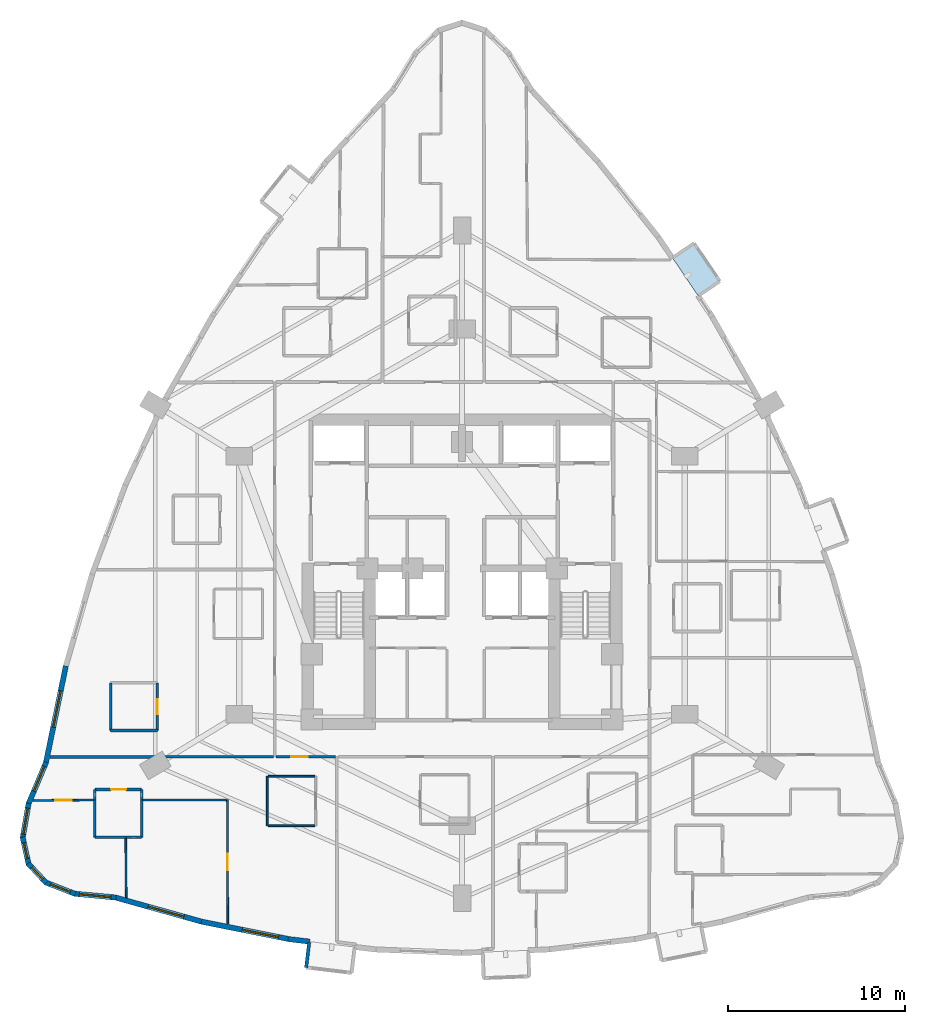
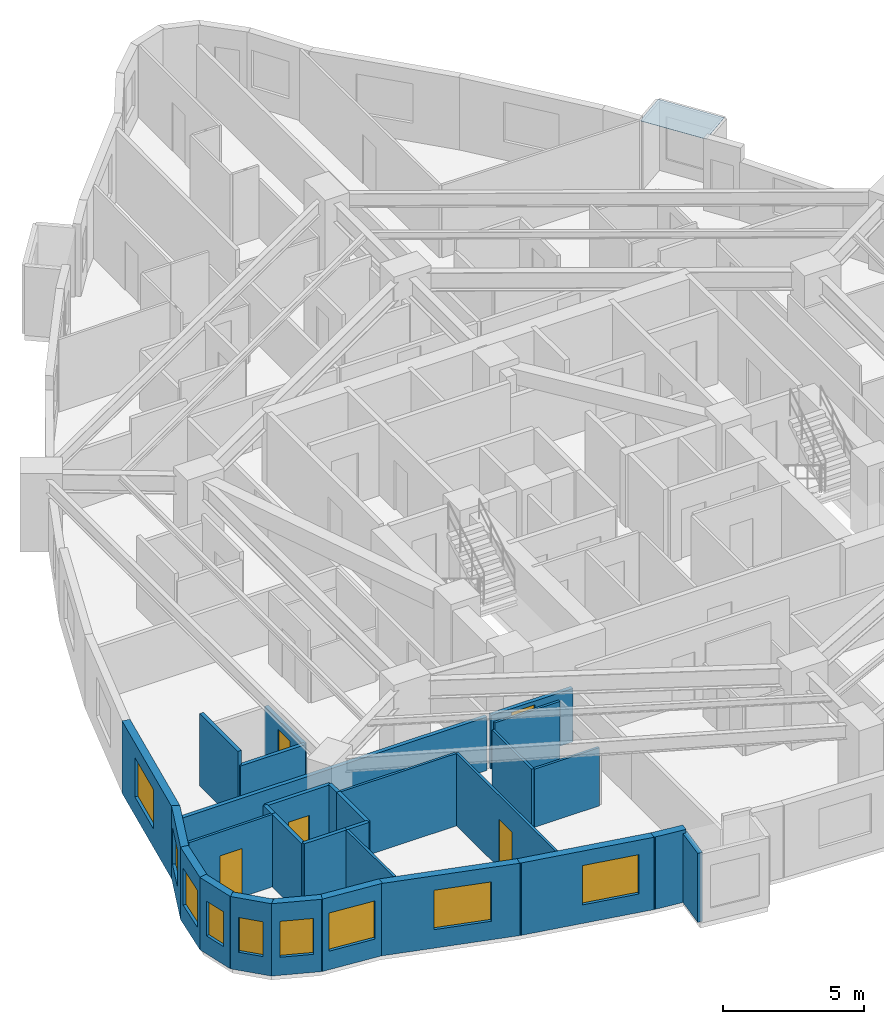
# One storey, part 8 of 16: 30 walls, 9 windows, 5 doors, 1 plate, 14 openings.
"""IFC4 building model written with IfcOpenShell, lengths in metres."""

from ifc_helpers import new_model, si_unit, direction, frame, frame_2d, origin, place, context, subcontext, project, spatial, polyline, rectangle, outline, extrude, material, layer, layer_set, type_object, element, fill, save


model = new_model("IFC4")

# Units and contexts
model_context = context("Model", 3, precision=1e-05, world=origin(), true_north=direction((0.0, 1.0)))
body_context = subcontext(model_context, "Body", "Model", "MODEL_VIEW")
ifc_project = project(units=[si_unit("LENGTHUNIT", "METRE"), si_unit("AREAUNIT", "SQUARE_METRE"), si_unit("VOLUMEUNIT", "CUBIC_METRE"), si_unit("PLANEANGLEUNIT", "RADIAN"), si_unit("MASSUNIT", "GRAM", prefix="KILO")], contexts=[model_context])

# Site, building, storey
site_placement = place(None, origin())
site = spatial("IfcSite", under=ifc_project, at=site_placement, CompositionType="ELEMENT")
building_placement = place(site_placement, origin())
building = spatial("IfcBuilding", under=site, at=building_placement, Name="Miruveldt Soraemaru", CompositionType="ELEMENT")
storey_placement = place(building_placement, frame((0.0, 0.0, 42.800048828125)))
storey = spatial("IfcBuildingStorey", under=building, at=storey_placement, Name="L11", CompositionType="ELEMENT", Elevation=42.800048828125)

# Plate
ifc_material_1 = material(Name="Standing-seam titanium-zinc sheet", Category="aluminium")
ifc_layer_1 = layer(ifc_material_1, 0.011962890625, Name="Standing-seam titanium-zinc sheet", Category="aluminium")
ifc_layer_set_1 = layer_set([ifc_layer_1], Name="Standing-seam titanium-zinc sheet")
plate_type = type_object("IfcPlateType", Name="PLT-ZINC-12", PredefinedType="SHEET", material=ifc_layer_set_1)
plate_placement = place(storey_placement, frame((0.0, 0.0, 2.974853515625)))
element("IfcPlate", 1, at=plate_placement, inside=storey, type_object=plate_type, Name="L11 Bay Window Zinc Hood Sheet 5", PredefinedType="SHEET", context=body_context, shape_type="SweptSolid", body=[
    extrude(outline(polyline([(57.359130859375, 59.466552734375), (55.901123046875, 61.619140625), (57.12646484375, 62.44921875), (58.58447265625, 60.29638671875), (57.359130859375, 59.466552734375)])), origin(), (0.0, 0.0, 1.0), 0.01220703125),
])

# Wall
ifc_material_2 = material(Name="White powder-coated aluminium EN AW-6060 T6", Category="aluminium")
ifc_layer_2 = layer(ifc_material_2, 0.18994140625, Name="White powder-coated aluminium EN AW-6060 T6", Category="aluminium")
ifc_layer_set_2 = layer_set([ifc_layer_2], Name="White powder-coated aluminium EN AW-6060 T6")
wall_type_1 = type_object("IfcWallType", Name="WALL-BAY-ALU190", PredefinedType="SOLIDWALL", material=ifc_layer_set_2)
wall_1_placement = place(storey_placement, frame((35.34716796875, 22.883544921875, 0.0), z_axis=(0.0, 0.0, 1.0), x_axis=(-0.119077659317, -0.992884943511, 0.0)))
element("IfcWall", 2, at=wall_1_placement, inside=storey, type_object=wall_type_1, Name="L11 Bay Window Side Cheek 1L", PredefinedType="SOLIDWALL", context=body_context, shape_type="SweptSolid", body=[
    extrude(rectangle(XDim=1.425048828125, YDim=0.18994140625, at=frame_2d((0.71240234375, 0.0))), origin(), (0.0, 0.0, 1.0), 2.974853515625),
])

# Wall, opening, window
ifc_material_3 = material(Name="Precast concrete C45/55 (45 MPa)", Category="concrete")
ifc_layer_3 = layer(ifc_material_3, 0.300048828125, Name="Precast concrete C45/55 (45 MPa)", Category="concrete")
ifc_layer_set_3 = layer_set([ifc_layer_3], Name="Precast concrete C45/55 (45 MPa)")
wall_type_2 = type_object("IfcWallType", Name="WALL-EXT-PC300", PredefinedType="SOLIDWALL", material=ifc_layer_set_3)
wall_2_placement = place(storey_placement, frame((21.580322265625, 38.536376953125, 0.0), z_axis=(0.0, 0.0, 1.0), x_axis=(-0.201536618175, -0.979480980691, 0.0)))
wall_2 = element("IfcWall", 3, at=wall_2_placement, inside=storey, type_object=wall_type_2, Name="L11 Precast Concrete Facade Wall 14", PredefinedType="SOLIDWALL", context=body_context, shape_type="SweptSolid", body=[
    extrude(rectangle(XDim=5.626953125, YDim=0.300048828125, at=frame_2d((2.8134765625, 0.0))), origin(), (0.0, 0.0, 1.0), 3.125),
])
opening_1_placement = place(wall_2_placement, frame((1.444091796875, 0.0, 0.800048828125)))
opening_1 = element("IfcOpeningElement", 4, at=opening_1_placement, cuts=wall_2, Name="Opening WN-1", PredefinedType="OPENING", context=body_context, shape_type="SweptSolid", body=[
    extrude(rectangle(XDim=2.10009765625, YDim=1.699951171875, at=frame_2d((1.050048828125, 0.85009765625))), frame((0.0, 0.16015625, 0.0), z_axis=(0.0, -1.0, 0.0), x_axis=(1.0, 0.0, 0.0)), (0.0, 0.0, 1.0), 0.320068359375),
])
ifc_material_4 = material(Name="Triple low-e insulated glazing", Category="glass")
window_type_1 = type_object("IfcWindowType", Name="WIN-PUNCH-2100x1700", PartitioningType="SINGLE_PANEL", PredefinedType="WINDOW", material=ifc_material_4)
window_1_placement = place(opening_1_placement, origin())
window_1 = element("IfcWindow", 5, at=window_1_placement, inside=storey, type_object=window_type_1, Name="L11 Punched Triple-Glazed Window 14.1", OverallHeight=1.699951171875, OverallWidth=2.10009765625, PartitioningType="SINGLE_PANEL", PredefinedType="WINDOW", context=body_context, shape_type="SweptSolid", body=[
    extrude(rectangle(XDim=2.10009765625, YDim=1.699951171875, at=frame_2d((1.050048828125, 0.85009765625))), frame((0.0, 0.030029296875, 0.0), z_axis=(0.0, -1.0, 0.0), x_axis=(1.0, 0.0, 0.0)), (0.0, 0.0, 1.0), 0.06005859375),
])
fill(opening_1, window_1)

wall_3_placement = place(storey_placement, frame((20.466796875, 33.091552734375, 0.0), z_axis=(0.0, 0.0, 1.0), x_axis=(-0.388619532782, -0.921398317092, 0.0)))
wall_3 = element("IfcWall", 6, at=wall_3_placement, inside=storey, type_object=wall_type_2, Name="L11 Precast Concrete Facade Wall 15", PredefinedType="SOLIDWALL", context=body_context, shape_type="SweptSolid", body=[
    extrude(rectangle(XDim=2.599609375, YDim=0.300048828125, at=frame_2d((1.2998046875, 0.0))), origin(), (0.0, 0.0, 1.0), 3.125),
])
opening_2_placement = place(wall_3_placement, frame((0.27490234375, 0.0, 0.800048828125)))
opening_2 = element("IfcOpeningElement", 7, at=opening_2_placement, cuts=wall_3, Name="Opening WN-3", PredefinedType="OPENING", context=body_context, shape_type="SweptSolid", body=[
    extrude(rectangle(XDim=1.5, YDim=1.60009765625, at=frame_2d((0.75, 0.800048828125))), frame((0.0, 0.16015625, 0.0), z_axis=(0.0, -1.0, 0.0), x_axis=(1.0, 0.0, 0.0)), (0.0, 0.0, 1.0), 0.320068359375),
])
window_type_2 = type_object("IfcWindowType", Name="WIN-PUNCH-1500x1600", PartitioningType="SINGLE_PANEL", PredefinedType="WINDOW", material=ifc_material_4)
window_2_placement = place(opening_2_placement, origin())
window_2 = element("IfcWindow", 8, at=window_2_placement, inside=storey, type_object=window_type_2, Name="L11 Punched Triple-Glazed Window 15.1", OverallHeight=1.60009765625, OverallWidth=1.5, PartitioningType="SINGLE_PANEL", PredefinedType="WINDOW", context=body_context, shape_type="SweptSolid", body=[
    extrude(rectangle(XDim=1.5, YDim=1.60009765625, at=frame_2d((0.75, 0.800048828125))), frame((0.0, 0.030029296875, 0.0), z_axis=(0.0, -1.0, 0.0), x_axis=(1.0, 0.0, 0.0)), (0.0, 0.0, 1.0), 0.06005859375),
])
fill(opening_2, window_2)

wall_4_placement = place(storey_placement, frame((19.47607421875, 30.762939453125, 0.0), z_axis=(0.0, 0.0, 1.0), x_axis=(-0.169274776515, -0.985568896646, 0.0)))
wall_4 = element("IfcWall", 9, at=wall_4_placement, inside=storey, type_object=wall_type_2, Name="L11 Precast Concrete Facade Wall 16", PredefinedType="SOLIDWALL", context=body_context, shape_type="SweptSolid", body=[
    extrude(rectangle(XDim=2.0048828125, YDim=0.300048828125, at=frame_2d((1.00244140625, 0.0))), origin(), (0.0, 0.0, 1.0), 3.125),
])
opening_3_placement = place(wall_4_placement, frame((0.27490234375, 0.0, 0.800048828125)))
opening_3 = element("IfcOpeningElement", 10, at=opening_3_placement, cuts=wall_4, Name="Opening WN-3", PredefinedType="OPENING", context=body_context, shape_type="SweptSolid", body=[
    extrude(rectangle(XDim=1.5, YDim=1.60009765625, at=frame_2d((0.75, 0.800048828125))), frame((0.0, 0.16015625, 0.0), z_axis=(0.0, -1.0, 0.0), x_axis=(1.0, 0.0, 0.0)), (0.0, 0.0, 1.0), 0.320068359375),
])
window_3_placement = place(opening_3_placement, origin())
window_3 = element("IfcWindow", 11, at=window_3_placement, inside=storey, type_object=window_type_2, Name="L11 Punched Triple-Glazed Window 16.1", OverallHeight=1.60009765625, OverallWidth=1.5, PartitioningType="SINGLE_PANEL", PredefinedType="WINDOW", context=body_context, shape_type="SweptSolid", body=[
    extrude(rectangle(XDim=1.5, YDim=1.60009765625, at=frame_2d((0.75, 0.800048828125))), frame((0.0, 0.030029296875, 0.0), z_axis=(0.0, -1.0, 0.0), x_axis=(1.0, 0.0, 0.0)), (0.0, 0.0, 1.0), 0.06005859375),
])
fill(opening_3, window_3)

wall_5_placement = place(storey_placement, frame((19.135009765625, 28.855712890625, 0.0), z_axis=(0.0, 0.0, 1.0), x_axis=(0.215694028495, -0.976461000794, 0.0)))
wall_5 = element("IfcWall", 12, at=wall_5_placement, inside=storey, type_object=wall_type_2, Name="L11 Precast Concrete Facade Wall 17", PredefinedType="SOLIDWALL", context=body_context, shape_type="SweptSolid", body=[
    extrude(rectangle(XDim=1.589111328125, YDim=0.300048828125, at=frame_2d((0.79443359375, 0.0))), origin(), (0.0, 0.0, 1.0), 3.125),
])
opening_4_placement = place(wall_5_placement, frame((0.343994140625, 0.0, 0.780029296875)))
opening_4 = element("IfcOpeningElement", 13, at=opening_4_placement, cuts=wall_5, Name="Opening WN-7", PredefinedType="OPENING", context=body_context, shape_type="SweptSolid", body=[
    extrude(rectangle(XDim=0.89990234375, YDim=1.5, at=frame_2d((0.449951171875, 0.75))), frame((0.0, 0.16015625, 0.0), z_axis=(0.0, -1.0, 0.0), x_axis=(1.0, 0.0, 0.0)), (0.0, 0.0, 1.0), 0.320068359375),
])
window_type_3 = type_object("IfcWindowType", Name="WIN-PUNCH-900x1500", PartitioningType="SINGLE_PANEL", PredefinedType="WINDOW", material=ifc_material_4)
window_4_placement = place(opening_4_placement, origin())
window_4 = element("IfcWindow", 14, at=window_4_placement, inside=storey, type_object=window_type_3, Name="L11 Punched Triple-Glazed Window 17.1", OverallHeight=1.5, OverallWidth=0.89990234375, PartitioningType="SINGLE_PANEL", PredefinedType="WINDOW", context=body_context, shape_type="SweptSolid", body=[
    extrude(rectangle(XDim=0.89990234375, YDim=1.5, at=frame_2d((0.449951171875, 0.75))), frame((0.0, 0.030029296875, 0.0), z_axis=(0.0, -1.0, 0.0), x_axis=(1.0, 0.0, 0.0)), (0.0, 0.0, 1.0), 0.06005859375),
])
fill(opening_4, window_4)

wall_6_placement = place(storey_placement, frame((19.4462890625, 27.364013671875, 0.0), z_axis=(0.0, 0.0, 1.0), x_axis=(0.680191520786, -0.733034443291, 0.0)))
wall_6 = element("IfcWall", 15, at=wall_6_placement, inside=storey, type_object=wall_type_2, Name="L11 Precast Concrete Facade Wall 18", PredefinedType="SOLIDWALL", context=body_context, shape_type="SweptSolid", body=[
    extrude(rectangle(XDim=1.515380859375, YDim=0.300048828125, at=frame_2d((0.7578125, 0.0))), origin(), (0.0, 0.0, 1.0), 3.125),
])
opening_5_placement = place(wall_6_placement, frame((0.306884765625, 0.0, 0.780029296875)))
opening_5 = element("IfcOpeningElement", 16, at=opening_5_placement, cuts=wall_6, Name="Opening WN-7", PredefinedType="OPENING", context=body_context, shape_type="SweptSolid", body=[
    extrude(rectangle(XDim=0.89990234375, YDim=1.5, at=frame_2d((0.449951171875, 0.75))), frame((0.0, 0.16015625, 0.0), z_axis=(0.0, -1.0, 0.0), x_axis=(1.0, 0.0, 0.0)), (0.0, 0.0, 1.0), 0.320068359375),
])
window_5_placement = place(opening_5_placement, origin())
window_5 = element("IfcWindow", 17, at=window_5_placement, inside=storey, type_object=window_type_3, Name="L11 Punched Triple-Glazed Window 18.1", OverallHeight=1.5, OverallWidth=0.89990234375, PartitioningType="SINGLE_PANEL", PredefinedType="WINDOW", context=body_context, shape_type="SweptSolid", body=[
    extrude(rectangle(XDim=0.89990234375, YDim=1.5, at=frame_2d((0.449951171875, 0.75))), frame((0.0, 0.030029296875, 0.0), z_axis=(0.0, -1.0, 0.0), x_axis=(1.0, 0.0, 0.0)), (0.0, 0.0, 1.0), 0.06005859375),
])
fill(opening_5, window_5)

wall_7_placement = place(storey_placement, frame((20.420654296875, 26.29150390625, 0.0), z_axis=(0.0, 0.0, 1.0), x_axis=(0.932260177706, -0.361788558502, 0.0)))
wall_7 = element("IfcWall", 18, at=wall_7_placement, inside=storey, type_object=wall_type_2, Name="L11 Precast Concrete Facade Wall 19", PredefinedType="SOLIDWALL", context=body_context, shape_type="SweptSolid", body=[
    extrude(rectangle(XDim=1.827392578125, YDim=0.300048828125, at=frame_2d((0.91357421875, 0.0))), origin(), (0.0, 0.0, 1.0), 3.125),
])
opening_6_placement = place(wall_7_placement, frame((0.31396484375, 0.0, 0.780029296875)))
opening_6 = element("IfcOpeningElement", 19, at=opening_6_placement, cuts=wall_7, Name="Opening WN-4", PredefinedType="OPENING", context=body_context, shape_type="SweptSolid", body=[
    extrude(rectangle(XDim=1.199951171875, YDim=1.550048828125, at=frame_2d((0.60009765625, 0.77490234375))), frame((0.0, 0.16015625, 0.0), z_axis=(0.0, -1.0, 0.0), x_axis=(1.0, 0.0, 0.0)), (0.0, 0.0, 1.0), 0.320068359375),
])
window_type_4 = type_object("IfcWindowType", Name="WIN-PUNCH-1200x1550", PartitioningType="SINGLE_PANEL", PredefinedType="WINDOW", material=ifc_material_4)
window_6_placement = place(opening_6_placement, origin())
window_6 = element("IfcWindow", 20, at=window_6_placement, inside=storey, type_object=window_type_4, Name="L11 Punched Triple-Glazed Window 19.1", OverallHeight=1.550048828125, OverallWidth=1.199951171875, PartitioningType="SINGLE_PANEL", PredefinedType="WINDOW", context=body_context, shape_type="SweptSolid", body=[
    extrude(rectangle(XDim=1.199951171875, YDim=1.550048828125, at=frame_2d((0.60009765625, 0.77490234375))), frame((0.0, 0.030029296875, 0.0), z_axis=(0.0, -1.0, 0.0), x_axis=(1.0, 0.0, 0.0)), (0.0, 0.0, 1.0), 0.06005859375),
])
fill(opening_6, window_6)

wall_8_placement = place(storey_placement, frame((22.056884765625, 25.646240234375, 0.0), z_axis=(0.0, 0.0, 1.0), x_axis=(0.99576320225, -0.091954581429, 0.0)))
wall_8 = element("IfcWall", 21, at=wall_8_placement, inside=storey, type_object=wall_type_2, Name="L11 Precast Concrete Facade Wall 20", PredefinedType="SOLIDWALL", context=body_context, shape_type="SweptSolid", body=[
    extrude(rectangle(XDim=2.37353515625, YDim=0.300048828125, at=frame_2d((1.186767578125, 0.0))), origin(), (0.0, 0.0, 1.0), 3.125),
])
opening_7_placement = place(wall_8_placement, frame((0.287109375, 0.0, 0.800048828125)))
opening_7 = element("IfcOpeningElement", 22, at=opening_7_placement, cuts=wall_8, Name="Opening WN-2", PredefinedType="OPENING", context=body_context, shape_type="SweptSolid", body=[
    extrude(rectangle(XDim=1.800048828125, YDim=1.64990234375, at=frame_2d((0.89990234375, 0.824951171875))), frame((0.0, 0.16015625, 0.0), z_axis=(0.0, -1.0, 0.0), x_axis=(1.0, 0.0, 0.0)), (0.0, 0.0, 1.0), 0.320068359375),
])
window_type_5 = type_object("IfcWindowType", Name="WIN-PUNCH-1800x1650", PartitioningType="SINGLE_PANEL", PredefinedType="WINDOW", material=ifc_material_4)
window_7_placement = place(opening_7_placement, origin())
window_7 = element("IfcWindow", 23, at=window_7_placement, inside=storey, type_object=window_type_5, Name="L11 Punched Triple-Glazed Window 20.1", OverallHeight=1.64990234375, OverallWidth=1.800048828125, PartitioningType="SINGLE_PANEL", PredefinedType="WINDOW", context=body_context, shape_type="SweptSolid", body=[
    extrude(rectangle(XDim=1.800048828125, YDim=1.64990234375, at=frame_2d((0.89990234375, 0.824951171875))), frame((0.0, 0.030029296875, 0.0), z_axis=(0.0, -1.0, 0.0), x_axis=(1.0, 0.0, 0.0)), (0.0, 0.0, 1.0), 0.06005859375),
])
fill(opening_7, window_7)

wall_9_placement = place(storey_placement, frame((24.351806640625, 25.440673828125, 0.0), z_axis=(0.0, 0.0, 1.0), x_axis=(0.962965002088, -0.269626417018, 0.0)))
wall_9 = element("IfcWall", 24, at=wall_9_placement, inside=storey, type_object=wall_type_2, Name="L11 Precast Concrete Facade Wall 21", PredefinedType="SOLIDWALL", context=body_context, shape_type="SweptSolid", body=[
    extrude(rectangle(XDim=5.162109375, YDim=0.300048828125, at=frame_2d((2.5810546875, 0.0))), origin(), (0.0, 0.0, 1.0), 3.125),
])
opening_8_placement = place(wall_9_placement, frame((1.962890625, 0.0, 0.800048828125)))
opening_8 = element("IfcOpeningElement", 25, at=opening_8_placement, cuts=wall_9, Name="Opening WN-1", PredefinedType="OPENING", context=body_context, shape_type="SweptSolid", body=[
    extrude(rectangle(XDim=2.10009765625, YDim=1.699951171875, at=frame_2d((1.050048828125, 0.85009765625))), frame((0.0, 0.16015625, 0.0), z_axis=(0.0, -1.0, 0.0), x_axis=(1.0, 0.0, 0.0)), (0.0, 0.0, 1.0), 0.320068359375),
])
window_8_placement = place(opening_8_placement, origin())
window_8 = element("IfcWindow", 26, at=window_8_placement, inside=storey, type_object=window_type_1, Name="L11 Punched Triple-Glazed Window 21.1", OverallHeight=1.699951171875, OverallWidth=2.10009765625, PartitioningType="SINGLE_PANEL", PredefinedType="WINDOW", context=body_context, shape_type="SweptSolid", body=[
    extrude(rectangle(XDim=2.10009765625, YDim=1.699951171875, at=frame_2d((1.050048828125, 0.85009765625))), frame((0.0, 0.030029296875, 0.0), z_axis=(0.0, -1.0, 0.0), x_axis=(1.0, 0.0, 0.0)), (0.0, 0.0, 1.0), 0.06005859375),
])
fill(opening_8, window_8)

wall_10_placement = place(storey_placement, frame((29.2548828125, 24.065185546875, 0.0), z_axis=(0.0, 0.0, 1.0), x_axis=(0.980573267674, -0.196153171585, 0.0)))
wall_10 = element("IfcWall", 27, at=wall_10_placement, inside=storey, type_object=wall_type_2, Name="L11 Precast Concrete Facade Wall 22", PredefinedType="SOLIDWALL", context=body_context, shape_type="SweptSolid", body=[
    extrude(rectangle(XDim=5.070556640625, YDim=0.300048828125, at=frame_2d((2.53515625, 0.0))), origin(), (0.0, 0.0, 1.0), 3.125),
])
opening_9_placement = place(wall_10_placement, frame((2.345947265625, 0.0, 0.800048828125)))
opening_9 = element("IfcOpeningElement", 28, at=opening_9_placement, cuts=wall_10, Name="Opening WN-1", PredefinedType="OPENING", context=body_context, shape_type="SweptSolid", body=[
    extrude(rectangle(XDim=2.10009765625, YDim=1.699951171875, at=frame_2d((1.050048828125, 0.85009765625))), frame((0.0, 0.16015625, 0.0), z_axis=(0.0, -1.0, 0.0), x_axis=(1.0, 0.0, 0.0)), (0.0, 0.0, 1.0), 0.320068359375),
])
window_9_placement = place(opening_9_placement, origin())
window_9 = element("IfcWindow", 29, at=window_9_placement, inside=storey, type_object=window_type_1, Name="L11 Punched Triple-Glazed Window 22.1", OverallHeight=1.699951171875, OverallWidth=2.10009765625, PartitioningType="SINGLE_PANEL", PredefinedType="WINDOW", context=body_context, shape_type="SweptSolid", body=[
    extrude(rectangle(XDim=2.10009765625, YDim=1.699951171875, at=frame_2d((1.050048828125, 0.85009765625))), frame((0.0, 0.030029296875, 0.0), z_axis=(0.0, -1.0, 0.0), x_axis=(1.0, 0.0, 0.0)), (0.0, 0.0, 1.0), 0.06005859375),
])
fill(opening_9, window_9)

# Wall
wall_11_placement = place(storey_placement, frame((34.157958984375, 23.081787109375, 0.0), z_axis=(0.0, 0.0, 1.0), x_axis=(0.992862793481, -0.119262204077, 0.0)))
element("IfcWall", 30, at=wall_11_placement, inside=storey, type_object=wall_type_2, Name="L11 Precast Pier Wall 23A", PredefinedType="SOLIDWALL", context=body_context, shape_type="SweptSolid", body=[
    extrude(rectangle(XDim=1.234375, YDim=0.300048828125, at=frame_2d((0.6171875, 0.0))), origin(), (0.0, 0.0, 1.0), 3.125),
])

# Wall, opening, door
ifc_material_5 = material(Name="Gypsum plasterboard lining", Category="gypsum")
ifc_layer_4 = layer(ifc_material_5, 0.10009765625, Name="Gypsum plasterboard lining", Category="gypsum")
ifc_layer_set_4 = layer_set([ifc_layer_4], Name="Gypsum plasterboard lining")
wall_type_3 = type_object("IfcWallType", Name="WALL-INT-P100", PredefinedType="PARTITIONING", material=ifc_layer_set_4)
wall_12_placement = place(storey_placement, frame((30.720947265625, 30.949951171875, 0.0), z_axis=(0.0, 0.0, 1.0), x_axis=(0.002436894418, -0.999997030768, 0.0)))
wall_12 = element("IfcWall", 31, at=wall_12_placement, inside=storey, type_object=wall_type_3, Name="L11 Partition Wall 99", PredefinedType="PARTITIONING", context=body_context, shape_type="SweptSolid", body=[
    extrude(rectangle(XDim=7.012939453125, YDim=0.10009765625, at=frame_2d((3.50634765625, 0.0))), origin(), (0.0, 0.0, 1.0), 3.125),
])
opening_10_placement = place(wall_12_placement, frame((3.047119140625, 0.0, 0.0)))
opening_10 = element("IfcOpeningElement", 32, at=opening_10_placement, cuts=wall_12, Name="Opening D3A", PredefinedType="OPENING", context=body_context, shape_type="SweptSolid", body=[
    extrude(rectangle(XDim=0.919921875, YDim=2.10009765625, at=frame_2d((0.4599609375, 1.050048828125))), frame((0.0, 0.06005859375, 0.0), z_axis=(0.0, -1.0, 0.0), x_axis=(1.0, 0.0, 0.0)), (0.0, 0.0, 1.0), 0.1201171875),
])
ifc_material_6 = material(Name="Anodised aluminium EN AW-6063 T6", Category="aluminium")
door_type_1 = type_object("IfcDoorType", Name="DOOR-INT-920", OperationType="NOTDEFINED", PredefinedType="DOOR", material=ifc_material_6)
door_1_placement = place(opening_10_placement, origin())
door_1 = element("IfcDoor", 33, at=door_1_placement, inside=storey, type_object=door_type_1, Name="L11 Unit 1108 BD2 Door", OperationType="SINGLE_SWING_LEFT", OverallHeight=2.10009765625, OverallWidth=0.919921875, PredefinedType="DOOR", context=body_context, shape_type="SweptSolid", body=[
    extrude(rectangle(XDim=0.919921875, YDim=2.10009765625, at=frame_2d((0.4599609375, 1.050048828125))), frame((0.0, 0.02490234375, 0.0), z_axis=(0.0, -1.0, 0.0), x_axis=(1.0, 0.0, 0.0)), (0.0, 0.0, 1.0), 0.050048828125),
])
fill(opening_10, door_1)

wall_13_placement = place(storey_placement, frame((19.72900390625, 30.9169921875, 0.0), z_axis=(0.0, 0.0, 1.0), x_axis=(0.999954187427, 0.00957199286, 0.0)))
wall_13 = element("IfcWall", 34, at=wall_13_placement, inside=storey, type_object=wall_type_3, Name="L11 Partition Wall 97", PredefinedType="PARTITIONING", context=body_context, shape_type="SweptSolid", body=[
    extrude(rectangle(XDim=3.443359375, YDim=0.10009765625, at=frame_2d((1.7216796875, 0.0))), origin(), (0.0, 0.0, 1.0), 3.125),
])
opening_11_placement = place(wall_13_placement, frame((1.261962890625, 0.0, 0.0)))
opening_11 = element("IfcOpeningElement", 35, at=opening_11_placement, cuts=wall_13, Name="Opening D3A", PredefinedType="OPENING", context=body_context, shape_type="SweptSolid", body=[
    extrude(rectangle(XDim=0.919921875, YDim=2.10009765625, at=frame_2d((0.4599609375, 1.050048828125))), frame((0.0, 0.06005859375, 0.0), z_axis=(0.0, -1.0, 0.0), x_axis=(1.0, 0.0, 0.0)), (0.0, 0.0, 1.0), 0.1201171875),
])
door_2_placement = place(opening_11_placement, origin())
door_2 = element("IfcDoor", 36, at=door_2_placement, inside=storey, type_object=door_type_1, Name="L11 Unit 1108 BD1 Door", OperationType="SINGLE_SWING_RIGHT", OverallHeight=2.10009765625, OverallWidth=0.919921875, PredefinedType="DOOR", context=body_context, shape_type="SweptSolid", body=[
    extrude(rectangle(XDim=0.919921875, YDim=2.10009765625, at=frame_2d((0.4599609375, 1.050048828125))), frame((0.0, 0.02490234375, 0.0), z_axis=(0.0, -1.0, 0.0), x_axis=(1.0, 0.0, 0.0)), (0.0, 0.0, 1.0), 0.050048828125),
])
fill(opening_11, door_2)

# Walls
wall_14_placement = place(storey_placement, frame((25.922119140625, 30.949951171875, 0.0), z_axis=(0.0, 0.0, 1.0), x_axis=(1.0, 0.0, 0.0)))
element("IfcWall", 37, at=wall_14_placement, inside=storey, type_object=wall_type_3, Name="L11 Partition Wall 98", PredefinedType="PARTITIONING", context=body_context, shape_type="SweptSolid", body=[
    extrude(rectangle(XDim=4.748779296875, YDim=0.10009765625, at=frame_2d((2.37451171875, 0.0))), origin(), (0.0, 0.0, 1.0), 3.125),
])
wall_15_placement = place(storey_placement, frame((24.99609375, 25.431884765625, 0.0), z_axis=(0.0, 0.0, 1.0), x_axis=(-0.006805000025, 0.999976845719, 0.0)))
element("IfcWall", 38, at=wall_15_placement, inside=storey, type_object=wall_type_3, Name="L11 Partition Wall 106", PredefinedType="PARTITIONING", context=body_context, shape_type="SweptSolid", body=[
    extrude(rectangle(XDim=3.408203125, YDim=0.10009765625, at=frame_2d((1.7041015625, 0.0))), origin(), (0.0, 0.0, 1.0), 3.125),
])
wall_16_placement = place(storey_placement, frame((32.971923828125, 32.2900390625, 0.0), z_axis=(0.0, 0.0, 1.0), x_axis=(0.0, -1.0, 0.0)))
element("IfcWall", 39, at=wall_16_placement, inside=storey, type_object=wall_type_3, Name="L11 Partition Wall 95", PredefinedType="PARTITIONING", context=body_context, shape_type="SweptSolid", body=[
    extrude(rectangle(XDim=2.800048828125, YDim=0.10009765625, at=frame_2d((1.39990234375, 0.0))), origin(), (0.0, 0.0, 1.0), 2.512939453125),
])
wall_17_placement = place(storey_placement, frame((35.672119140625, 32.2900390625, 0.0), z_axis=(0.0, 0.0, 1.0), x_axis=(-1.0, 0.0, 0.0)))
element("IfcWall", 40, at=wall_17_placement, inside=storey, type_object=wall_type_3, Name="L11 Partition Wall 94", PredefinedType="PARTITIONING", context=body_context, shape_type="SweptSolid", body=[
    extrude(rectangle(XDim=2.650146484375, YDim=0.10009765625, at=frame_2d((1.3251953125, 0.0))), origin(), (0.0, 0.0, 1.0), 2.81298828125),
])
wall_18_placement = place(storey_placement, frame((33.02197265625, 29.489990234375, 0.0), z_axis=(0.0, 0.0, 1.0), x_axis=(1.0, 0.0, 0.0)))
element("IfcWall", 41, at=wall_18_placement, inside=storey, type_object=wall_type_3, Name="L11 Partition Wall 96", PredefinedType="PARTITIONING", context=body_context, shape_type="SweptSolid", body=[
    extrude(rectangle(XDim=2.650146484375, YDim=0.10009765625, at=frame_2d((1.3251953125, 0.0))), origin(), (0.0, 0.0, 1.0), 2.512939453125),
])

# Wall, opening, door
ifc_layer_5 = layer(ifc_material_5, 0.14990234375, Name="Gypsum plasterboard lining", Category="gypsum")
ifc_layer_set_5 = layer_set([ifc_layer_5], Name="Gypsum plasterboard lining")
wall_type_4 = type_object("IfcWallType", Name="WALL-INT-PLUMB", PredefinedType="PLUMBINGWALL", material=ifc_layer_set_5)
wall_19_placement = place(storey_placement, frame((26.762939453125, 34.8798828125, 0.0), z_axis=(0.0, 0.0, 1.0), x_axis=(0.0, 1.0, 0.0)))
wall_19 = element("IfcWall", 42, at=wall_19_placement, inside=storey, type_object=wall_type_4, Name="L11 Partition Wall 52", PredefinedType="PLUMBINGWALL", context=body_context, shape_type="SweptSolid", body=[
    extrude(rectangle(XDim=2.7001953125, YDim=0.14990234375, at=frame_2d((1.35009765625, 0.0))), origin(), (0.0, 0.0, 1.0), 2.512939453125),
])
opening_12_placement = place(wall_19_placement, frame((0.909912109375, 0.0, 0.0)))
opening_12 = element("IfcOpeningElement", 43, at=opening_12_placement, cuts=wall_19, Name="Opening FD3", PredefinedType="OPENING", context=body_context, shape_type="SweptSolid", body=[
    extrude(rectangle(XDim=0.85009765625, YDim=2.10009765625, at=frame_2d((0.425048828125, 1.050048828125))), frame((0.0, 0.0849609375, 0.0), z_axis=(0.0, -1.0, 0.0), x_axis=(1.0, 0.0, 0.0)), (0.0, 0.0, 1.0), 0.169921875),
])
door_type_2 = type_object("IfcDoorType", Name="DOOR-FD3-850", OperationType="NOTDEFINED", PredefinedType="DOOR", material=ifc_material_6)
door_3_placement = place(opening_12_placement, origin())
door_3 = element("IfcDoor", 44, at=door_3_placement, inside=storey, type_object=door_type_2, Name="L11 Unit CL04 BTH Door", OperationType="SINGLE_SWING_RIGHT", OverallHeight=2.10009765625, OverallWidth=0.85009765625, PredefinedType="DOOR", context=body_context, shape_type="SweptSolid", body=[
    extrude(rectangle(XDim=0.85009765625, YDim=2.10009765625, at=frame_2d((0.425048828125, 1.050048828125))), frame((0.0, 0.02490234375, 0.0), z_axis=(0.0, -1.0, 0.0), x_axis=(1.0, 0.0, 0.0)), (0.0, 0.0, 1.0), 0.050048828125),
])
fill(opening_12, door_3)

wall_20_placement = place(storey_placement, frame((25.8720703125, 31.5400390625, 0.0), z_axis=(0.0, 0.0, 1.0), x_axis=(-1.0, 0.0, 0.0)))
wall_20 = element("IfcWall", 45, at=wall_20_placement, inside=storey, type_object=wall_type_4, Name="L11 Partition Wall 91", PredefinedType="PLUMBINGWALL", context=body_context, shape_type="SweptSolid", body=[
    extrude(rectangle(XDim=2.650146484375, YDim=0.14990234375, at=frame_2d((1.3251953125, 0.0))), origin(), (0.0, 0.0, 1.0), 3.125),
])
opening_13_placement = place(wall_20_placement, frame((0.885009765625, 0.0, 0.0)))
opening_13 = element("IfcOpeningElement", 46, at=opening_13_placement, cuts=wall_20, Name="Opening FD3", PredefinedType="OPENING", context=body_context, shape_type="SweptSolid", body=[
    extrude(rectangle(XDim=0.85009765625, YDim=2.10009765625, at=frame_2d((0.425048828125, 1.050048828125))), frame((0.0, 0.0849609375, 0.0), z_axis=(0.0, -1.0, 0.0), x_axis=(1.0, 0.0, 0.0)), (0.0, 0.0, 1.0), 0.169921875),
])
door_4_placement = place(opening_13_placement, origin())
door_4 = element("IfcDoor", 47, at=door_4_placement, inside=storey, type_object=door_type_2, Name="L11 Unit 1108 BTH Door", OperationType="SINGLE_SWING_RIGHT", OverallHeight=2.10009765625, OverallWidth=0.85009765625, PredefinedType="DOOR", context=body_context, shape_type="SweptSolid", body=[
    extrude(rectangle(XDim=0.85009765625, YDim=2.10009765625, at=frame_2d((0.425048828125, 1.050048828125))), frame((0.0, 0.02490234375, 0.0), z_axis=(0.0, -1.0, 0.0), x_axis=(1.0, 0.0, 0.0)), (0.0, 0.0, 1.0), 0.050048828125),
])
fill(opening_13, door_4)

# Walls
wall_21_placement = place(storey_placement, frame((24.113037109375, 37.580078125, 0.0), z_axis=(0.0, 0.0, 1.0), x_axis=(0.0, -1.0, 0.0)))
element("IfcWall", 48, at=wall_21_placement, inside=storey, type_object=wall_type_4, Name="L11 Partition Wall 54", PredefinedType="PLUMBINGWALL", context=body_context, shape_type="SweptSolid", body=[
    extrude(rectangle(XDim=2.7001953125, YDim=0.14990234375, at=frame_2d((1.35009765625, 0.0))), origin(), (0.0, 0.0, 1.0), 3.125),
])
wall_22_placement = place(storey_placement, frame((24.113037109375, 34.8798828125, 0.0), z_axis=(0.0, 0.0, 1.0), x_axis=(1.0, 0.0, 0.0)))
element("IfcWall", 49, at=wall_22_placement, inside=storey, type_object=wall_type_4, Name="L11 Partition Wall 55", PredefinedType="PLUMBINGWALL", context=body_context, shape_type="SweptSolid", body=[
    extrude(rectangle(XDim=2.64990234375, YDim=0.14990234375, at=frame_2d((1.324951171875, 0.0))), origin(), (0.0, 0.0, 1.0), 2.512939453125),
])
for number, where, z_axis, x_axis, name in (
    (50, (23.221923828125, 30.949951171875, 0.0), (0.0, 0.0, 1.0), (0.0, -1.0, 0.0), "L11 Partition Wall 102"),
    (51, (25.8720703125, 28.840087890625, 0.0), (0.0, 0.0, 1.0), (0.0, 1.0, 0.0), "L11 Partition Wall 105"),
):
    element("IfcWall", number, at=place(storey_placement, frame(where, z_axis=z_axis, x_axis=x_axis)), inside=storey, type_object=wall_type_4, Name=name, PredefinedType="PLUMBINGWALL", context=body_context, shape_type="SweptSolid", body=[
        extrude(rectangle(XDim=2.10986328125, YDim=0.14990234375, at=frame_2d((1.054931640625, 0.0))), origin(), (0.0, 0.0, 1.0), 3.125),
    ])
wall_23_placement = place(storey_placement, frame((23.221923828125, 28.840087890625, 0.0), z_axis=(0.0, 0.0, 1.0), x_axis=(1.0, 0.0, 0.0)))
element("IfcWall", 52, at=wall_23_placement, inside=storey, type_object=wall_type_4, Name="L11 Partition Wall 103", PredefinedType="PLUMBINGWALL", context=body_context, shape_type="SweptSolid", body=[
    extrude(rectangle(XDim=1.7509765625, YDim=0.14990234375, at=frame_2d((0.87548828125, 0.0))), origin(), (0.0, 0.0, 1.0), 3.125),
])
wall_24_placement = place(storey_placement, frame((24.972900390625, 28.840087890625, 0.0), z_axis=(0.0, 0.0, 1.0), x_axis=(1.0, 0.0, 0.0)))
element("IfcWall", 53, at=wall_24_placement, inside=storey, type_object=wall_type_4, Name="L11 Partition Wall 104", PredefinedType="PLUMBINGWALL", context=body_context, shape_type="SweptSolid", body=[
    extrude(rectangle(XDim=0.899169921875, YDim=0.14990234375, at=frame_2d((0.44970703125, 0.0))), origin(), (0.0, 0.0, 1.0), 3.125),
])
for number, where, z_axis, x_axis, name in (
    (54, (25.8720703125, 30.949951171875, 0.0), (0.0, 0.0, 1.0), (0.0, 1.0, 0.0), "L11 Partition Wall 90"),
    (55, (23.221923828125, 31.5400390625, 0.0), (0.0, 0.0, 1.0), (0.0, -1.0, 0.0), "L11 Partition Wall 92"),
):
    element("IfcWall", number, at=place(storey_placement, frame(where, z_axis=z_axis, x_axis=x_axis)), inside=storey, type_object=wall_type_4, Name=name, PredefinedType="PLUMBINGWALL", context=body_context, shape_type="SweptSolid", body=[
        extrude(rectangle(XDim=0.590087890625, YDim=0.14990234375, at=frame_2d((0.294921875, 0.0))), origin(), (0.0, 0.0, 1.0), 3.125),
    ])

# Wall, opening, door
ifc_material_7 = material(Name="Concrete C40/50 (40 MPa)", Category="concrete")
ifc_layer_6 = layer(ifc_material_7, 0.159912109375, Name="Concrete C40/50 (40 MPa)", Category="concrete")
ifc_layer_set_6 = layer_set([ifc_layer_6], Name="Concrete C40/50 (40 MPa)")
wall_type_5 = type_object("IfcWallType", Name="WALL-INT-RC160", PredefinedType="SOLIDWALL", material=ifc_layer_set_6)
wall_25_placement = place(storey_placement, frame((33.47998046875, 33.39990234375, 0.0), z_axis=(0.0, 0.0, 1.0), x_axis=(1.0, 0.0, 0.0)))
wall_25 = element("IfcWall", 56, at=wall_25_placement, inside=storey, type_object=wall_type_5, Name="L11 Partition Wall 10", PredefinedType="SOLIDWALL", context=body_context, shape_type="SweptSolid", body=[
    extrude(rectangle(XDim=3.35205078125, YDim=0.159912109375, at=frame_2d((1.676025390625, 0.0))), origin(), (0.0, 0.0, 1.0), 2.31298828125),
])
opening_14_placement = place(wall_25_placement, frame((0.841064453125, 0.0, 0.0)))
opening_14 = element("IfcOpeningElement", 57, at=opening_14_placement, cuts=wall_25, Name="Opening FD2", PredefinedType="OPENING", context=body_context, shape_type="SweptSolid", body=[
    extrude(rectangle(XDim=0.949951171875, YDim=2.14990234375, at=frame_2d((0.47509765625, 1.074951171875))), frame((0.0, 0.08984375, 0.0), z_axis=(0.0, -1.0, 0.0), x_axis=(1.0, 0.0, 0.0)), (0.0, 0.0, 1.0), 0.179931640625),
])
door_type_3 = type_object("IfcDoorType", Name="DOOR-FD2-950", OperationType="NOTDEFINED", PredefinedType="DOOR", material=ifc_material_6)
door_5_placement = place(opening_14_placement, origin())
door_5 = element("IfcDoor", 58, at=door_5_placement, inside=storey, type_object=door_type_3, Name="L11 Unit 1108 Entrance Fire Door", OperationType="SINGLE_SWING_LEFT", OverallHeight=2.14990234375, OverallWidth=0.949951171875, PredefinedType="DOOR", context=body_context, shape_type="SweptSolid", body=[
    extrude(rectangle(XDim=0.949951171875, YDim=2.14990234375, at=frame_2d((0.47509765625, 1.074951171875))), frame((0.0, 0.02490234375, 0.0), z_axis=(0.0, -1.0, 0.0), x_axis=(1.0, 0.0, 0.0)), (0.0, 0.0, 1.0), 0.050048828125),
])
fill(opening_14, door_5)

# Wall
wall_26_placement = place(storey_placement, frame((20.68798828125, 33.383056640625, 0.0), z_axis=(0.0, 0.0, 1.0), x_axis=(0.999999110803, 0.001333564072, 0.0)))
element("IfcWall", 59, at=wall_26_placement, inside=storey, type_object=wall_type_5, Name="L11 Partition Wall 61", PredefinedType="SOLIDWALL", context=body_context, shape_type="SweptSolid", body=[
    extrude(rectangle(XDim=12.632080078125, YDim=0.159912109375, at=frame_2d((6.31591796875, 0.0))), origin(), (0.0, 0.0, 1.0), 2.31298828125),
])

save(model, "model.ifc")
